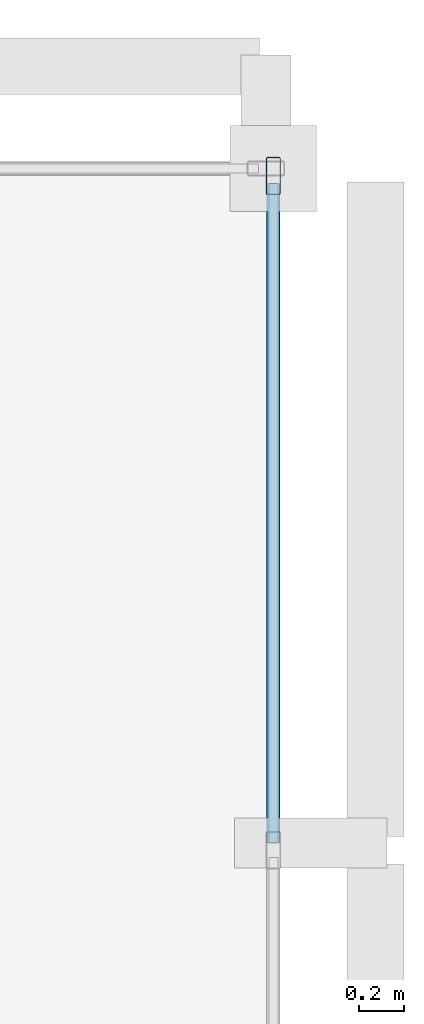
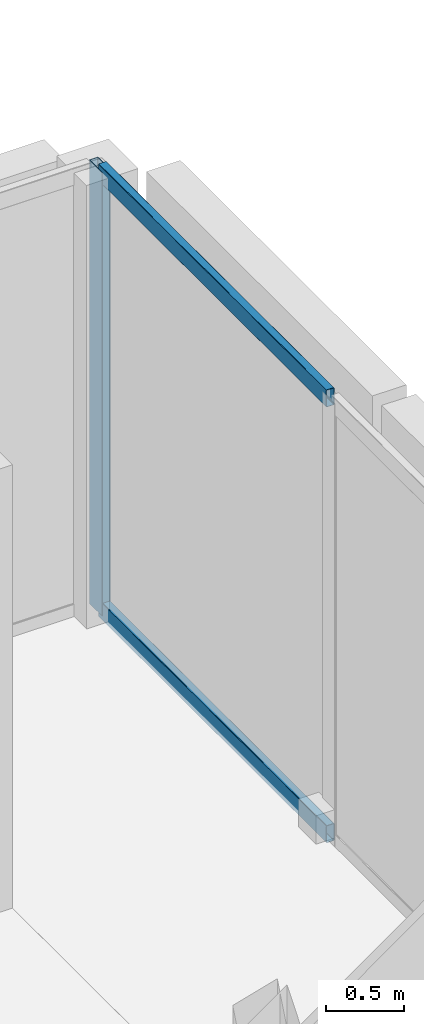
# One storey, part 5 of 13: 3 members, 1 element without a shape of its own.
"""IFC4 building model written with IfcOpenShell, lengths in metres."""

from ifc_helpers import new_model, si_unit, direction, frame, origin, origin_2d, place, context, subcontext, project, spatial, hollow_rectangle, extrude, material, layer, layer_set, material_profile, profile_set, type_object, element, aggregate, save


model = new_model("IFC4")

# Units and contexts
model_context = context("Model", 3, precision=1e-05, world=origin(), true_north=direction((0.0, 1.0)))
body_context = subcontext(model_context, "Body", "Model", "MODEL_VIEW")
ifc_project = project(units=[si_unit("LENGTHUNIT", "METRE"), si_unit("AREAUNIT", "SQUARE_METRE"), si_unit("VOLUMEUNIT", "CUBIC_METRE"), si_unit("PLANEANGLEUNIT", "RADIAN"), si_unit("MASSUNIT", "GRAM", prefix="KILO")], contexts=[model_context])

# Site, building, storey
site_placement = place(None, origin())
site = spatial("IfcSite", under=ifc_project, at=site_placement, CompositionType="ELEMENT")
building_placement = place(site_placement, origin())
building = spatial("IfcBuilding", under=site, at=building_placement, Name="An Khanh Terracotta Commons", CompositionType="ELEMENT")
storey_placement = place(building_placement, frame((0.0, 0.0, 266.10009765625)))
storey = spatial("IfcBuildingStorey", under=building, at=storey_placement, Name="L69", CompositionType="ELEMENT", Elevation=266.10009765625)

# Curtain wall, members
ifc_material = material(Name="Anodised Aluminium 6063-T6", Category="aluminium")
ifc_layer = layer(ifc_material, 0.239990234375, Name="Anodised Aluminium 6063-T6")
ifc_layer_set = layer_set([ifc_layer], Name="Anodised Aluminium 6063-T6")
curtain_wall_type = type_object("IfcCurtainWallType", Name="CW-SYS-04", PredefinedType="USERDEFINED", material=ifc_layer_set)
curtain_wall_placement = place(storey_placement, origin())
curtain_wall = element("IfcCurtainWall", 1, at=curtain_wall_placement, inside=storey, type_object=curtain_wall_type, Name="L69 CW-04 Unitised Curtain Wall CW-L69-EBOX-1", ObjectType="UNITISED CURTAIN WALL", PredefinedType="USERDEFINED")
ifc_material_profile_1 = material_profile(ifc_material, hollow_rectangle(XDim=0.06494140625, YDim=0.1650390625, WallThickness=0.00390625, InnerFilletRadius=0.00390625, OuterFilletRadius=0.008056640625, at=origin_2d()), Name="RHS165x65x4")
ifc_profile_set_1 = profile_set([ifc_material_profile_1], Name="Anodised Aluminium 6063-T6")
member_type_1 = type_object("IfcMemberType", Name="CWM-RHS165x65x4", PredefinedType="MULLION", material=ifc_profile_set_1)
member_1_placement = place(storey_placement, frame((77.75, 25.49755859375, 0.0), z_axis=(0.0, 0.0, 1.0), x_axis=(-1.0, 0.0, 0.0)))
member_1 = element("IfcMember", 2, at=member_1_placement, type_object=member_type_1, Name="CW-04 mullion 3", PredefinedType="MULLION", context=body_context, shape_type="SweptSolid", body=[
    extrude(hollow_rectangle(XDim=0.06494140625, YDim=0.1650390625, WallThickness=0.00390625, InnerFilletRadius=0.00390625, OuterFilletRadius=0.008056640625, at=origin_2d()), origin(), (0.0, 0.0, 1.0), 3.449951171875),
])
ifc_material_profile_2 = material_profile(ifc_material, hollow_rectangle(XDim=0.06005859375, YDim=0.135009765625, WallThickness=0.003662109375, InnerFilletRadius=0.003662109375, OuterFilletRadius=0.007080078125, at=origin_2d()), Name="RHS135x60x3.6")
ifc_profile_set_2 = profile_set([ifc_material_profile_2], Name="Anodised Aluminium 6063-T6")
member_type_2 = type_object("IfcMemberType", Name="CWT-RHS135x60x3.6", PredefinedType="USERDEFINED", material=ifc_profile_set_2)
member_2_placement = place(storey_placement, frame((77.75, 22.5625, 0.02978515625), z_axis=(0.0, 1.0, 0.0), x_axis=(-1.0, 0.0, 0.0)))
member_2 = element("IfcMember", 3, at=member_2_placement, type_object=member_type_2, Name="CW-04 transom 2.1", ObjectType="TRANSOM", PredefinedType="USERDEFINED", context=body_context, shape_type="SweptSolid", body=[
    extrude(hollow_rectangle(XDim=0.06005859375, YDim=0.135009765625, WallThickness=0.003662109375, InnerFilletRadius=0.003662109375, OuterFilletRadius=0.007080078125, at=origin_2d()), origin(), (0.0, 0.0, 1.0), 2.902587890625),
])
member_3_placement = place(storey_placement, frame((77.75, 22.5625, 3.419921875), z_axis=(0.0, 1.0, 0.0), x_axis=(-1.0, 0.0, 0.0)))
member_3 = element("IfcMember", 4, at=member_3_placement, type_object=member_type_2, Name="CW-04 transom 2.2", ObjectType="TRANSOM", PredefinedType="USERDEFINED", context=body_context, shape_type="SweptSolid", body=[
    extrude(hollow_rectangle(XDim=0.06005859375, YDim=0.135009765625, WallThickness=0.003662109375, InnerFilletRadius=0.003662109375, OuterFilletRadius=0.007080078125, at=origin_2d()), origin(), (0.0, 0.0, 1.0), 2.902587890625),
])
aggregate(curtain_wall, [member_1, member_2, member_3])

save(model, "model.ifc")
